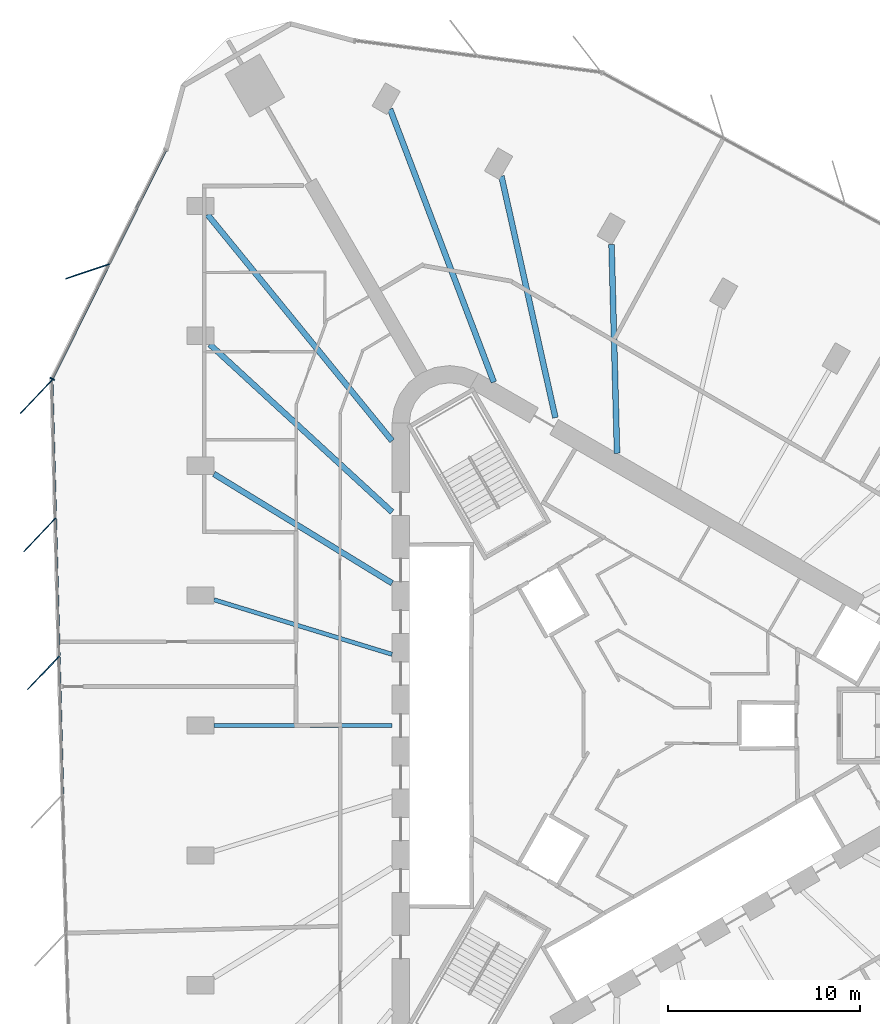
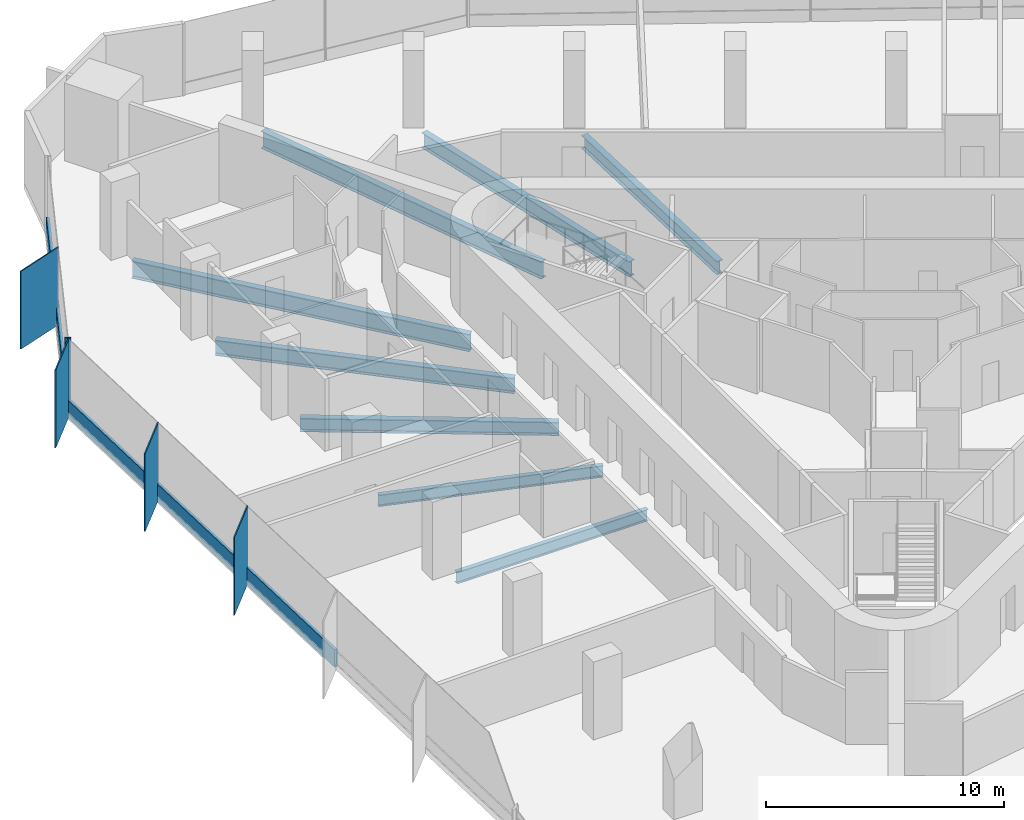
# One storey, part 4 of 14: 10 members, 8 beams, 2 elements without a shape of their own.
"""IFC4 building model written with IfcOpenShell, lengths in metres."""

import ifcopenshell
import ifcopenshell.guid

model = None  # the IFC model being written
_history = None  # IfcOwnerHistory: only IFC2X3 demands one
_inside = {}  # id of a spatial element -> (the spatial element, [elements in it])
_under = {}  # id of a project, library or spatial element -> (it, [spatial elements below it])
_declared = {}  # id of a project -> (the project, [libraries it declares])
_typed = {}  # id of a type object -> (the type object, [elements of that type])
_made_of = {}  # id of a material, layer set ... -> (it, [elements and type objects made of it])


def new_model(schema):
    """Start an empty IFC model of exactly this schema.

    Asked for "IFC4X3", IfcOpenShell would pick the latest addendum, in which some entities
    have other attributes; the version numbers below select the first issue.
    IFC2X3 requires an IfcOwnerHistory on every rooted entity: one is made here for all.
    """
    global model, _history
    if schema == "IFC4X3":
        model = ifcopenshell.file(schema_version=(4, 3, 0, 0))
    else:
        model = ifcopenshell.file(schema=schema)
    _inside.clear()
    _under.clear()
    _declared.clear()
    _typed.clear()
    _made_of.clear()
    _history = None
    if model.schema == "IFC2X3":
        org = make("IfcOrganization", Name="unknown")
        user = make(
            "IfcPersonAndOrganization",
            ThePerson=make("IfcPerson", FamilyName="unknown"),
            TheOrganization=org,
        )
        app = make(
            "IfcApplication",
            ApplicationDeveloper=org,
            Version="unknown",
            ApplicationFullName="unknown",
            ApplicationIdentifier="unknown",
        )
        _history = make(
            "IfcOwnerHistory",
            OwningUser=user,
            OwningApplication=app,
            ChangeAction="ADDED",
            CreationDate=0,
        )
    return model


def make(cls, **values):
    """One entity of the class cls with the attributes given. An attribute that is None is left unset."""
    return model.create_entity(
        cls, **{name: value for name, value in values.items() if value is not None}
    )


def rooted(cls, **values):
    """An entity with a GlobalId (a new one), such as an element, a storey or a relation."""
    return make(cls, GlobalId=ifcopenshell.guid.new(), OwnerHistory=_history, **values)


def si_unit(unit_type, name, prefix=None):
    """IfcSIUnit, for example si_unit("LENGTHUNIT", "METRE", prefix="MILLI")."""
    return make("IfcSIUnit", UnitType=unit_type, Prefix=prefix, Name=name)


def assignment(units):
    """IfcUnitAssignment: the units of a project."""
    return None if units is None else make("IfcUnitAssignment", Units=units)


def point(xyz):
    """IfcCartesianPoint."""
    return None if xyz is None else make("IfcCartesianPoint", Coordinates=xyz)


def direction(xyz):
    """IfcDirection."""
    return None if xyz is None else make("IfcDirection", DirectionRatios=xyz)


def frame(location, z_axis=None, x_axis=None):
    """IfcAxis2Placement3D, a coordinate frame: its origin and axes. An axis left out is left unset."""
    return make(
        "IfcAxis2Placement3D",
        Location=point(location),
        Axis=direction(z_axis),
        RefDirection=direction(x_axis),
    )


def frame_2d(location, x_axis=None):
    """IfcAxis2Placement2D, a coordinate frame in the plane: its origin and x axis."""
    return make(
        "IfcAxis2Placement2D", Location=point(location), RefDirection=direction(x_axis)
    )


def origin():
    """The frame at (0, 0, 0) with its axes left unset."""
    return frame((0.0, 0.0, 0.0))


def origin_2d():
    """The frame at (0, 0) in the plane with its x axis left unset."""
    return frame_2d((0.0, 0.0))


def place(relative_to, where):
    """IfcLocalPlacement: puts the frame where relative to a parent placement (None: the world)."""
    return make(
        "IfcLocalPlacement", PlacementRelTo=relative_to, RelativePlacement=where
    )


def context(
    kind, dimensions, precision=None, world=None, true_north=None, identifier=None
):
    """IfcGeometricRepresentationContext, for example the 3D "Model" context."""
    return make(
        "IfcGeometricRepresentationContext",
        ContextIdentifier=identifier,
        ContextType=kind,
        CoordinateSpaceDimension=dimensions,
        Precision=precision,
        WorldCoordinateSystem=world,
        TrueNorth=true_north,
    )


def subcontext(parent, identifier, kind, view, scale=None):
    """IfcGeometricRepresentationSubContext, for example "Body" below "Model"."""
    return make(
        "IfcGeometricRepresentationSubContext",
        ContextIdentifier=identifier,
        ContextType=kind,
        ParentContext=parent,
        TargetScale=scale,
        TargetView=view,
    )


def project(units=None, contexts=None):
    """IfcProject with its units and contexts."""
    return rooted(
        "IfcProject",
        Name="project",
        RepresentationContexts=contexts,
        UnitsInContext=assignment(units),
    )


def spatial(cls, under=None, at=None, **own):
    """A site, building, storey or space (cls), placed at a placement, below another one or the project."""
    s = rooted(cls, ObjectPlacement=at, **own)
    if under is not None:
        _under.setdefault(under.id(), (under, []))[1].append(s)
    return s


def profile(cls, at=None, kind="AREA", **sizes):
    """A parametric profile (cls). Its sizes go by their IFC names, for example OverallWidth=200.0."""
    return make(cls, ProfileType=kind, Position=at, **sizes)


def rectangle(**sizes):
    """IfcRectangleProfileDef."""
    return profile("IfcRectangleProfileDef", **sizes)


def i_section(**sizes):
    """IfcIShapeProfileDef."""
    return profile("IfcIShapeProfileDef", **sizes)


def extrude(swept, where, along, depth):
    """IfcExtrudedAreaSolid: the profile swept, set in the frame where, extruded along a direction by depth."""
    return make(
        "IfcExtrudedAreaSolid",
        SweptArea=swept,
        Position=where,
        ExtrudedDirection=direction(along),
        Depth=depth,
    )


def shape(context_of_items, identifier, shape_type, items):
    """IfcShapeRepresentation: the items that make up one representation, for example the "Body"."""
    return make(
        "IfcShapeRepresentation",
        ContextOfItems=context_of_items,
        RepresentationIdentifier=identifier,
        RepresentationType=shape_type,
        Items=items,
    )


def material(Name=None, Category=None):
    """IfcMaterial."""
    return make("IfcMaterial", Name=Name, Category=Category)


def material_profile(
    of_material, cross_section, Name=None, Category=None, Priority=None
):
    """IfcMaterialProfile: a cross section and its material."""
    return make(
        "IfcMaterialProfile",
        Name=Name,
        Material=of_material,
        Profile=cross_section,
        Priority=Priority,
        Category=Category,
    )


def profile_set(profiles, Name=None, composite=None):
    """IfcMaterialProfileSet."""
    return make(
        "IfcMaterialProfileSet",
        Name=Name,
        MaterialProfiles=profiles,
        CompositeProfile=composite,
    )


def made_of(thing, what):
    """Note that an element or type object is made of a material, layer set ...; save() writes the relation."""
    if what is not None:
        _made_of.setdefault(what.id(), (what, []))[1].append(thing)
    return thing


def type_object(cls, material=None, **own):
    """A type object (cls), such as IfcWallType, which elements share."""
    return made_of(rooted(cls, **own), material)


def element(
    cls,
    number,
    at=None,
    inside=None,
    cuts=None,
    type_object=None,
    material=None,
    context=None,
    identifier="Body",
    shape_type=None,
    held_by="IfcProductDefinitionShape",
    body=None,
    shapes=None,
    **own,
):
    """One element of the class cls, such as IfcWall. Its Tag is "e" and its number.

    at: its placement. inside: the storey or other place that contains it. cuts: it is an
    opening in that element (IfcRelVoidsElement). A single representation is given by context,
    identifier, shape_type and body (its items); several are given by shapes. held_by: the class
    of the entity that holds the representations. save() writes the other relations.
    """
    e = rooted(cls, Tag="e%d" % number, ObjectPlacement=at, **own)
    if body is not None:
        shapes = [shape(context, identifier, shape_type, body)]
    if shapes is not None:
        e.Representation = make(held_by, Representations=shapes)
    if inside is not None:
        _inside.setdefault(inside.id(), (inside, []))[1].append(e)
    if cuts is not None:
        rooted(
            "IfcRelVoidsElement", RelatingBuildingElement=cuts, RelatedOpeningElement=e
        )
    if type_object is not None:
        _typed.setdefault(type_object.id(), (type_object, []))[1].append(e)
    return made_of(e, material)


def aggregate(whole, parts):
    """IfcRelAggregates: a whole, such as a stair, and the parts it consists of."""
    return rooted("IfcRelAggregates", RelatingObject=whole, RelatedObjects=parts)


def save(model, path):
    """Write the relations noted so far, then the file.

    IfcRelAggregates (storeys below a building ...), IfcRelContainedInSpatialStructure (elements
    in a storey), IfcRelDefinesByType, IfcRelAssociatesMaterial and IfcRelDeclares: one each for
    every whole, place, type object, material and project.
    """
    for whole, parts in _under.values():
        aggregate(whole, parts)
    for where, things in _inside.values():
        rooted(
            "IfcRelContainedInSpatialStructure",
            RelatedElements=things,
            RelatingStructure=where,
        )
    for kind, things in _typed.values():
        rooted("IfcRelDefinesByType", RelatedObjects=things, RelatingType=kind)
    for what, things in _made_of.values():
        rooted("IfcRelAssociatesMaterial", RelatedObjects=things, RelatingMaterial=what)
    for by, libraries in _declared.values():
        rooted("IfcRelDeclares", RelatingContext=by, RelatedDefinitions=libraries)
    model.write(path)


model = new_model("IFC4")

# Units and contexts
model_context = context("Model", 3, precision=1e-05, world=origin(), true_north=direction((0.0, 1.0)))
body_context = subcontext(model_context, "Body", "Model", "MODEL_VIEW")
ifc_project = project(units=[si_unit("LENGTHUNIT", "METRE"), si_unit("AREAUNIT", "SQUARE_METRE"), si_unit("VOLUMEUNIT", "CUBIC_METRE"), si_unit("PLANEANGLEUNIT", "RADIAN"), si_unit("MASSUNIT", "GRAM", prefix="KILO")], contexts=[model_context])

# Site, building, storey
site_placement = place(None, origin())
site = spatial("IfcSite", under=ifc_project, at=site_placement, CompositionType="ELEMENT")
building_placement = place(site_placement, origin())
building = spatial("IfcBuilding", under=site, at=building_placement, Name="Tanit Gate Tower", CompositionType="ELEMENT")
storey_placement = place(building_placement, frame((0.0, 0.0, 225.199951171875)))
storey = spatial("IfcBuildingStorey", under=building, at=storey_placement, Name="L50", CompositionType="ELEMENT", Elevation=225.199951171875)

# Curtain wall, member
ifc_material_1 = material(Name="Aluminium bronze anodised and glass", Category="aluminium")
curtain_wall_type = type_object("IfcCurtainWallType", Name="Curtain wall typical mid", PredefinedType="NOTDEFINED", material=ifc_material_1)
curtain_wall_1_placement = place(storey_placement, origin())
curtain_wall_1 = element("IfcCurtainWall", 1, at=curtain_wall_1_placement, inside=storey, type_object=curtain_wall_type, Name="Curtain wall L50 W1", PredefinedType="NOTDEFINED")
ifc_material_2 = material(Name="Aluminium bronze anodised", Category="aluminium")
ifc_material_profile_1 = material_profile(ifc_material_2, rectangle(XDim=2.39990234375, YDim=0.055908203125, at=origin_2d()), Name="56x2400 bronze fin mullion")
ifc_profile_set_1 = profile_set([ifc_material_profile_1], Name="Aluminium bronze anodised")
member_type_1 = type_object("IfcMemberType", Name="FIN MULLION 56x2400 bronze", PredefinedType="MULLION", material=ifc_profile_set_1)
member_1_placement = place(storey_placement, frame((-27.973876953125, 23.66748046875, -0.300048828125), z_axis=(0.0, 0.0, 1.0), x_axis=(0.947650540599, 0.319309337325, 0.0)))
member_1 = element("IfcMember", 2, at=member_1_placement, type_object=member_type_1, Name="Fin mullion L50 W1.2", PredefinedType="MULLION", context=body_context, shape_type="SweptSolid", body=[
    extrude(rectangle(XDim=2.39990234375, YDim=0.055908203125, at=origin_2d()), origin(), (0.0, 0.0, 1.0), 4.0),
])

# Curtain wall, members
curtain_wall_2_placement = place(storey_placement, origin())
curtain_wall_2 = element("IfcCurtainWall", 3, at=curtain_wall_2_placement, inside=storey, type_object=curtain_wall_type, Name="Curtain wall L50 W2", PredefinedType="NOTDEFINED")
member_2_placement = place(storey_placement, frame((-30.648681640625, 17.137451171875, -0.300048828125), z_axis=(0.0, 0.0, 1.0), x_axis=(0.688437603131, 0.725295571884, 0.0)))
member_2 = element("IfcMember", 4, at=member_2_placement, type_object=member_type_1, Name="Fin mullion L50 W2.1", PredefinedType="MULLION", context=body_context, shape_type="SweptSolid", body=[
    extrude(rectangle(XDim=2.39990234375, YDim=0.055908203125, at=origin_2d()), origin(), (0.0, 0.0, 1.0), 4.0),
])
member_3_placement = place(storey_placement, frame((-30.4609375, 9.940185546875, -0.300048828125), z_axis=(0.0, 0.0, 1.0), x_axis=(0.688437603131, 0.725295571884, 0.0)))
member_3 = element("IfcMember", 5, at=member_3_placement, type_object=member_type_1, Name="Fin mullion L50 W2.2", PredefinedType="MULLION", context=body_context, shape_type="SweptSolid", body=[
    extrude(rectangle(XDim=2.39990234375, YDim=0.055908203125, at=origin_2d()), origin(), (0.0, 0.0, 1.0), 4.0),
])
member_4_placement = place(storey_placement, frame((-30.2734375, 2.7431640625, -0.300048828125), z_axis=(0.0, 0.0, 1.0), x_axis=(0.688437603131, 0.725295571884, 0.0)))
member_4 = element("IfcMember", 6, at=member_4_placement, type_object=member_type_1, Name="Fin mullion L50 W2.3", PredefinedType="MULLION", context=body_context, shape_type="SweptSolid", body=[
    extrude(rectangle(XDim=2.39990234375, YDim=0.055908203125, at=origin_2d()), origin(), (0.0, 0.0, 1.0), 4.0),
])

# Member
ifc_material_3 = material(Name="Aluminium bronze anodised", Category="aluminium")
ifc_material_profile_2 = material_profile(ifc_material_3, rectangle(XDim=0.260009765625, YDim=0.080078125, at=origin_2d()), Name="80x260 bronze mullion")
ifc_profile_set_2 = profile_set([ifc_material_profile_2], Name="Aluminium bronze anodised")
member_type_2 = type_object("IfcMemberType", Name="Mullion 80x260 typical mid", PredefinedType="MULLION", material=ifc_profile_set_2)
member_5_placement = place(storey_placement, frame((-29.8203125, 18.068115234375, -0.300048828125), z_axis=(0.0, 0.0, 1.0), x_axis=(0.895875921171, -0.444304325734, 0.0)))
member_5 = element("IfcMember", 7, at=member_5_placement, type_object=member_type_2, Name="Mullion L50 W1.3", PredefinedType="MULLION", context=body_context, shape_type="SweptSolid", body=[
    extrude(rectangle(XDim=0.260009765625, YDim=0.080078125, at=origin_2d()), origin(), (0.0, 0.0, 1.0), 4.0),
])

# Beams
ifc_material_4 = material(Name="Steel S355", Category="steel")
ifc_material_profile_3 = material_profile(ifc_material_4, i_section(OverallWidth=0.300048828125, OverallDepth=0.68994140625, WebThickness=0.014404296875, FlangeThickness=0.027099609375, FilletRadius=0.027099609375, at=origin_2d()), Name="HEA 700")
ifc_profile_set_3 = profile_set([ifc_material_profile_3], Name="Steel S355")
beam_type_1 = type_object("IfcBeamType", Name="RADIAL GIRDER HEA 700 S355", PredefinedType="BEAM", material=ifc_profile_set_3)
beam_1_placement = place(storey_placement, frame((-0.661865234375, 25.0791015625, -0.64501953125), z_axis=(0.026380949764, -0.99965196218, 0.0), x_axis=(0.99965196218, 0.026380949764, 0.0)))
element("IfcBeam", 8, at=beam_1_placement, inside=storey, type_object=beam_type_1, Name="RADIAL GIRDER", PredefinedType="BEAM", context=body_context, shape_type="SweptSolid", body=[
    extrude(i_section(OverallWidth=0.300048828125, OverallDepth=0.68994140625, WebThickness=0.014404296875, FlangeThickness=0.027099609375, FilletRadius=0.027099609375, at=origin_2d()), origin(), (0.0, 0.0, 1.0), 10.892578125),
])
beam_2_placement = place(storey_placement, frame((-21.38818359375, 13.11279296875, -0.64501953125), z_axis=(0.852535207667, -0.522669799863, 0.0), x_axis=(0.522669799863, 0.852535207667, 0.0)))
element("IfcBeam", 9, at=beam_2_placement, inside=storey, type_object=beam_type_1, Name="RADIAL GIRDER", PredefinedType="BEAM", context=body_context, shape_type="SweptSolid", body=[
    extrude(i_section(OverallWidth=0.300048828125, OverallDepth=0.68994140625, WebThickness=0.014404296875, FlangeThickness=0.027099609375, FilletRadius=0.027099609375, at=origin_2d()), origin(), (0.0, 0.0, 1.0), 10.892333984375),
])
ifc_material_5 = material(Name="Steel S355", Category="steel")
ifc_material_profile_4 = material_profile(ifc_material_5, i_section(OverallWidth=0.300048828125, OverallDepth=0.7900390625, WebThickness=0.014892578125, FlangeThickness=0.028076171875, FilletRadius=0.030029296875, at=origin_2d()), Name="HEA 800")
ifc_profile_set_4 = profile_set([ifc_material_profile_4], Name="Steel S355")
beam_type_2 = type_object("IfcBeamType", Name="RADIAL GIRDER HEA 800 S355", PredefinedType="BEAM", material=ifc_profile_set_4)
beam_3_placement = place(storey_placement, frame((-6.402587890625, 28.636474609375, -0.695068359375), z_axis=(0.218198546062, -0.975904398236, 0.0), x_axis=(0.975904398236, 0.218198546062, 0.0)))
element("IfcBeam", 10, at=beam_3_placement, inside=storey, type_object=beam_type_2, Name="RADIAL GIRDER", PredefinedType="BEAM", context=body_context, shape_type="SweptSolid", body=[
    extrude(i_section(OverallWidth=0.300048828125, OverallDepth=0.7900390625, WebThickness=0.014892578125, FlangeThickness=0.028076171875, FilletRadius=0.030029296875, at=origin_2d()), origin(), (0.0, 0.0, 1.0), 12.90185546875),
])
beam_4_placement = place(storey_placement, frame((-21.598876953125, 19.86279296875, -0.695068359375), z_axis=(0.736073177965, -0.676901969772, 0.0), x_axis=(0.676901969772, 0.736073177965, 0.0)))
element("IfcBeam", 11, at=beam_4_placement, inside=storey, type_object=beam_type_2, Name="RADIAL GIRDER", PredefinedType="BEAM", context=body_context, shape_type="SweptSolid", body=[
    extrude(i_section(OverallWidth=0.300048828125, OverallDepth=0.7900390625, WebThickness=0.014892578125, FlangeThickness=0.028076171875, FilletRadius=0.030029296875, at=origin_2d()), origin(), (0.0, 0.0, 1.0), 12.902099609375),
])
ifc_material_6 = material(Name="Steel S355", Category="steel")
ifc_material_profile_5 = material_profile(ifc_material_6, i_section(OverallWidth=0.300048828125, OverallDepth=0.889892578125, WebThickness=0.01611328125, FlangeThickness=0.030029296875, FilletRadius=0.030029296875, at=origin_2d()), Name="HEA 900")
ifc_profile_set_5 = profile_set([ifc_material_profile_5], Name="Steel S355")
beam_type_3 = type_object("IfcBeamType", Name="RADIAL GIRDER HEA 900 S355", PredefinedType="BEAM", material=ifc_profile_set_5)
beam_5_placement = place(storey_placement, frame((-12.205078125, 32.1279296875, -0.744873046875), z_axis=(0.355130013355, -0.934816919838, 0.0), x_axis=(0.934816919838, 0.355130013355, 0.0)))
element("IfcBeam", 12, at=beam_5_placement, inside=storey, type_object=beam_type_3, Name="RADIAL GIRDER", PredefinedType="BEAM", context=body_context, shape_type="SweptSolid", body=[
    extrude(i_section(OverallWidth=0.300048828125, OverallDepth=0.889892578125, WebThickness=0.01611328125, FlangeThickness=0.030029296875, FilletRadius=0.030029296875, at=origin_2d()), origin(), (0.0, 0.0, 1.0), 15.219970703125),
])
beam_6_placement = place(storey_placement, frame((-21.72119140625, 26.6337890625, -0.744873046875), z_axis=(0.632014947554, -0.774956196225, 0.0), x_axis=(0.774956196225, 0.632014947554, 0.0)))
element("IfcBeam", 13, at=beam_6_placement, inside=storey, type_object=beam_type_3, Name="RADIAL GIRDER", PredefinedType="BEAM", context=body_context, shape_type="SweptSolid", body=[
    extrude(i_section(OverallWidth=0.300048828125, OverallDepth=0.889892578125, WebThickness=0.01611328125, FlangeThickness=0.030029296875, FilletRadius=0.030029296875, at=origin_2d()), origin(), (0.0, 0.0, 1.0), 15.2197265625),
])
ifc_material_7 = material(Name="Steel S355", Category="steel")
ifc_material_profile_6 = material_profile(ifc_material_7, i_section(OverallWidth=0.219970703125, OverallDepth=0.60009765625, WebThickness=0.011962890625, FlangeThickness=0.01904296875, FilletRadius=0.02392578125, at=origin_2d()), Name="IPE 600")
ifc_profile_set_6 = profile_set([ifc_material_profile_6], Name="Steel S355")
beam_type_4 = type_object("IfcBeamType", Name="RADIAL GIRDER IPE 600 S355", PredefinedType="BEAM", material=ifc_profile_set_6)
beam_7_placement = place(storey_placement, frame((-21.38818359375, 6.556396484375, -0.599853515625), z_axis=(0.956085016758, -0.293089475639, 0.0), x_axis=(0.293089475639, 0.956085016758, 0.0)))
element("IfcBeam", 14, at=beam_7_placement, inside=storey, type_object=beam_type_4, Name="RADIAL GIRDER", PredefinedType="BEAM", context=body_context, shape_type="SweptSolid", body=[
    extrude(i_section(OverallWidth=0.219970703125, OverallDepth=0.60009765625, WebThickness=0.011962890625, FlangeThickness=0.01904296875, FilletRadius=0.02392578125, at=origin_2d()), origin(), (0.0, 0.0, 1.0), 9.712646484375),
])
beam_8_placement = place(storey_placement, frame((-21.38818359375, 0.0, -0.599853515625), z_axis=(1.0, 0.0, 0.0), x_axis=(0.0, 1.0, 0.0)))
element("IfcBeam", 15, at=beam_8_placement, inside=storey, type_object=beam_type_4, Name="RADIAL GIRDER", PredefinedType="BEAM", context=body_context, shape_type="SweptSolid", body=[
    extrude(i_section(OverallWidth=0.219970703125, OverallDepth=0.60009765625, WebThickness=0.011962890625, FlangeThickness=0.01904296875, FilletRadius=0.02392578125, at=origin_2d()), origin(), (0.0, 0.0, 1.0), 9.2861328125),
])

# Member
ifc_material_8 = material(Name="Aluminium bronze anodised", Category="aluminium")
ifc_material_profile_7 = material_profile(ifc_material_8, rectangle(XDim=0.139892578125, YDim=0.89990234375, at=origin_2d()), Name="140x900 bronze transom")
ifc_profile_set_7 = profile_set([ifc_material_profile_7], Name="Aluminium bronze anodised")
member_type_3 = type_object("IfcMemberType", Name="Transom 140x900 typical mid", PredefinedType="USERDEFINED", material=ifc_profile_set_7)
member_6_placement = place(storey_placement, frame((-23.910888671875, 29.98388671875, 0.150146484375), z_axis=(-0.444291993264, -0.89588203728, 0.0), x_axis=(0.89588203728, -0.444291993264, 0.0)))
member_6 = element("IfcMember", 16, at=member_6_placement, type_object=member_type_3, Name="Transom L50 W1.1", ObjectType="TRANSOM", PredefinedType="USERDEFINED", context=body_context, shape_type="SweptSolid", body=[
    extrude(rectangle(XDim=0.139892578125, YDim=0.89990234375, at=origin_2d()), origin(), (0.0, 0.0, 1.0), 6.59033203125),
])

member_7_placement = place(storey_placement, frame((-26.87451171875, 24.008056640625, 0.150146484375), z_axis=(-0.444321725775, -0.895867291514, 0.0), x_axis=(0.895867291514, -0.444321725775, 0.0)))
member_7 = element("IfcMember", 17, at=member_7_placement, type_object=member_type_3, Name="Transom L50 W1.2", ObjectType="TRANSOM", PredefinedType="USERDEFINED", context=body_context, shape_type="SweptSolid", body=[
    extrude(rectangle(XDim=0.139892578125, YDim=0.89990234375, at=origin_2d()), origin(), (0.0, 0.0, 1.0), 6.59033203125),
])

aggregate(curtain_wall_1, [member_1, member_5, member_6, member_7])

member_8_placement = place(storey_placement, frame((-29.836181640625, 17.952392578125, 0.150146484375), z_axis=(0.026061397555, -0.999660344096, 0.0), x_axis=(0.999660344096, 0.026061397555, 0.0)))
member_8 = element("IfcMember", 18, at=member_8_placement, type_object=member_type_3, Name="Transom L50 W2.1", ObjectType="TRANSOM", PredefinedType="USERDEFINED", context=body_context, shape_type="SweptSolid", body=[
    extrude(rectangle(XDim=0.139892578125, YDim=0.89990234375, at=origin_2d()), origin(), (0.0, 0.0, 1.0), 7.11962890625),
])

member_9_placement = place(storey_placement, frame((-29.6484375, 10.755126953125, 0.150146484375), z_axis=(0.026061397555, -0.999660344096, 0.0), x_axis=(0.999660344096, 0.026061397555, 0.0)))
member_9 = element("IfcMember", 19, at=member_9_placement, type_object=member_type_3, Name="Transom L50 W2.2", ObjectType="TRANSOM", PredefinedType="USERDEFINED", context=body_context, shape_type="SweptSolid", body=[
    extrude(rectangle(XDim=0.139892578125, YDim=0.89990234375, at=origin_2d()), origin(), (0.0, 0.0, 1.0), 7.11962890625),
])

member_10_placement = place(storey_placement, frame((-29.460693359375, 3.55810546875, 0.150146484375), z_axis=(0.026061397555, -0.999660344096, 0.0), x_axis=(0.999660344096, 0.026061397555, 0.0)))
member_10 = element("IfcMember", 20, at=member_10_placement, type_object=member_type_3, Name="Transom L50 W2.3", ObjectType="TRANSOM", PredefinedType="USERDEFINED", context=body_context, shape_type="SweptSolid", body=[
    extrude(rectangle(XDim=0.139892578125, YDim=0.89990234375, at=origin_2d()), origin(), (0.0, 0.0, 1.0), 7.11962890625),
])

aggregate(curtain_wall_2, [member_2, member_3, member_4, member_8, member_9, member_10])

save(model, "model.ifc")
